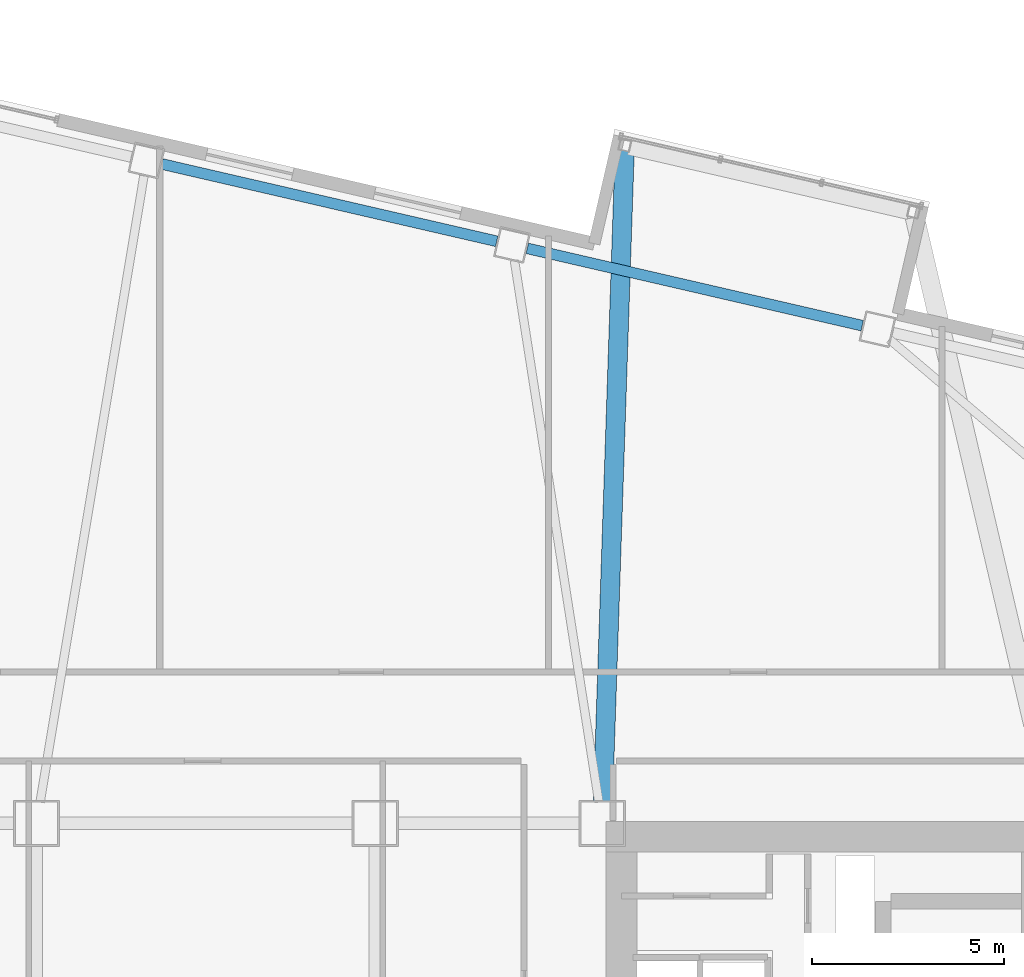
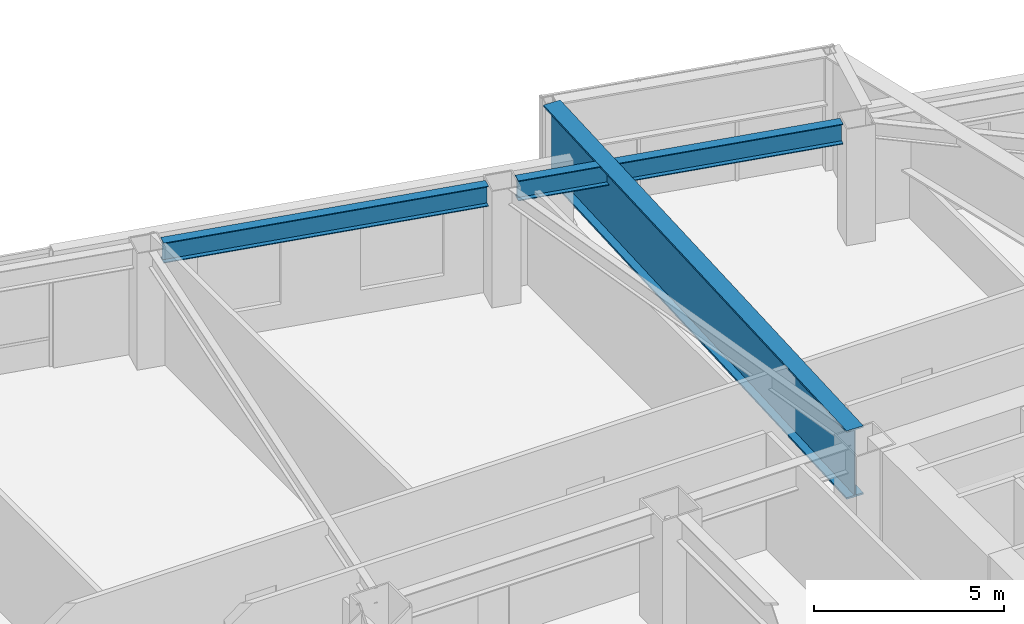
# One storey, part 9 of 23: 3 beams.
"""IFC4 building model written with IfcOpenShell, lengths in metres."""

from ifc_helpers import new_model, si_unit, direction, frame, origin, origin_2d, place, context, subcontext, project, spatial, i_section, extrude, material, material_profile, profile_set, type_object, element, save


model = new_model("IFC4")

# Units and contexts
model_context = context("Model", 3, precision=1e-05, world=origin(), true_north=direction((0.0, 1.0)))
body_context = subcontext(model_context, "Body", "Model", "MODEL_VIEW")
ifc_project = project(units=[si_unit("LENGTHUNIT", "METRE"), si_unit("AREAUNIT", "SQUARE_METRE"), si_unit("VOLUMEUNIT", "CUBIC_METRE"), si_unit("PLANEANGLEUNIT", "RADIAN"), si_unit("MASSUNIT", "GRAM", prefix="KILO")], contexts=[model_context])

# Site, building, storey
site_placement = place(None, origin())
site = spatial("IfcSite", under=ifc_project, at=site_placement, CompositionType="ELEMENT")
building_placement = place(site_placement, origin())
building = spatial("IfcBuilding", under=site, at=building_placement, Name="Tavrogorsk Clinical Tower", CompositionType="ELEMENT")
storey_placement = place(building_placement, frame((0.0, 0.0, 63.39990234375)))
storey = spatial("IfcBuildingStorey", under=building, at=storey_placement, Name="L13", CompositionType="ELEMENT", Elevation=63.39990234375)

# Beams
ifc_material_1 = material(Name="Structural steel S390", Category="steel")
ifc_material_profile_1 = material_profile(ifc_material_1, i_section(OverallWidth=0.280029296875, OverallDepth=0.64990234375, WebThickness=0.01611328125, FlangeThickness=0.02490234375, at=origin_2d()), Name="B-650x280x16x25")
ifc_profile_set_1 = profile_set([ifc_material_profile_1], Name="Structural steel S390")
beam_type_1 = type_object("IfcBeamType", Name="SpandrelBeam_B650", PredefinedType="SPANDREL", material=ifc_profile_set_1)
for number, where, z_axis, x_axis, name in (
    (1, (17.056396484375, 19.28369140625, 3.4150390625), (-0.974372766602, 0.224939351168, 0.0), (-0.224939351168, -0.974372766602, 0.0), "L13 Perimeter Spandrel N3-N4"),
    (2, (7.5576171875, 21.4765625, 3.4150390625), (-0.974366775889, 0.224965299645, 0.0), (-0.224965299645, -0.974366775889, 0.0), "L13 Perimeter Spandrel N4-N5"),
):
    element("IfcBeam", number, at=place(storey_placement, frame(where, z_axis=z_axis, x_axis=x_axis)), inside=storey, type_object=beam_type_1, Name=name, PredefinedType="SPANDREL", context=body_context, shape_type="SweptSolid", body=[
        extrude(i_section(OverallWidth=0.280029296875, OverallDepth=0.64990234375, WebThickness=0.01611328125, FlangeThickness=0.02490234375, at=origin_2d()), origin(), (0.0, 0.0, 1.0), 8.9326171875),
    ])
ifc_material_2 = material(Name="Structural steel S440", Category="steel")
ifc_material_profile_2 = material_profile(ifc_material_2, i_section(OverallWidth=0.5, OverallDepth=2.199951171875, WebThickness=0.035888671875, FlangeThickness=0.054931640625, at=origin_2d()), Name="DK-2200x500x36x55")
ifc_profile_set_2 = profile_set([ifc_material_profile_2], Name="Structural steel S440")
beam_type_2 = type_object("IfcBeamType", Name="TransferGirder_DK2200", PredefinedType="USERDEFINED", material=ifc_profile_set_2)
beam_placement = place(storey_placement, frame((10.318603515625, 6.90966796875, 2.64013671875), z_axis=(0.033352279272, 0.999443657975, 0.0), x_axis=(-0.999443657975, 0.033352279272, 0.0)))
element("IfcBeam", 3, at=beam_placement, inside=storey, type_object=beam_type_2, Name="L13 Day-Room Cantilever Beam DRB-02-L", ObjectType="GIRDER", PredefinedType="USERDEFINED", context=body_context, shape_type="SweptSolid", body=[
    extrude(i_section(OverallWidth=0.5, OverallDepth=2.199951171875, WebThickness=0.035888671875, FlangeThickness=0.054931640625, at=origin_2d()), origin(), (0.0, 0.0, 1.0), 16.931396484375),
])

save(model, "model.ifc")
